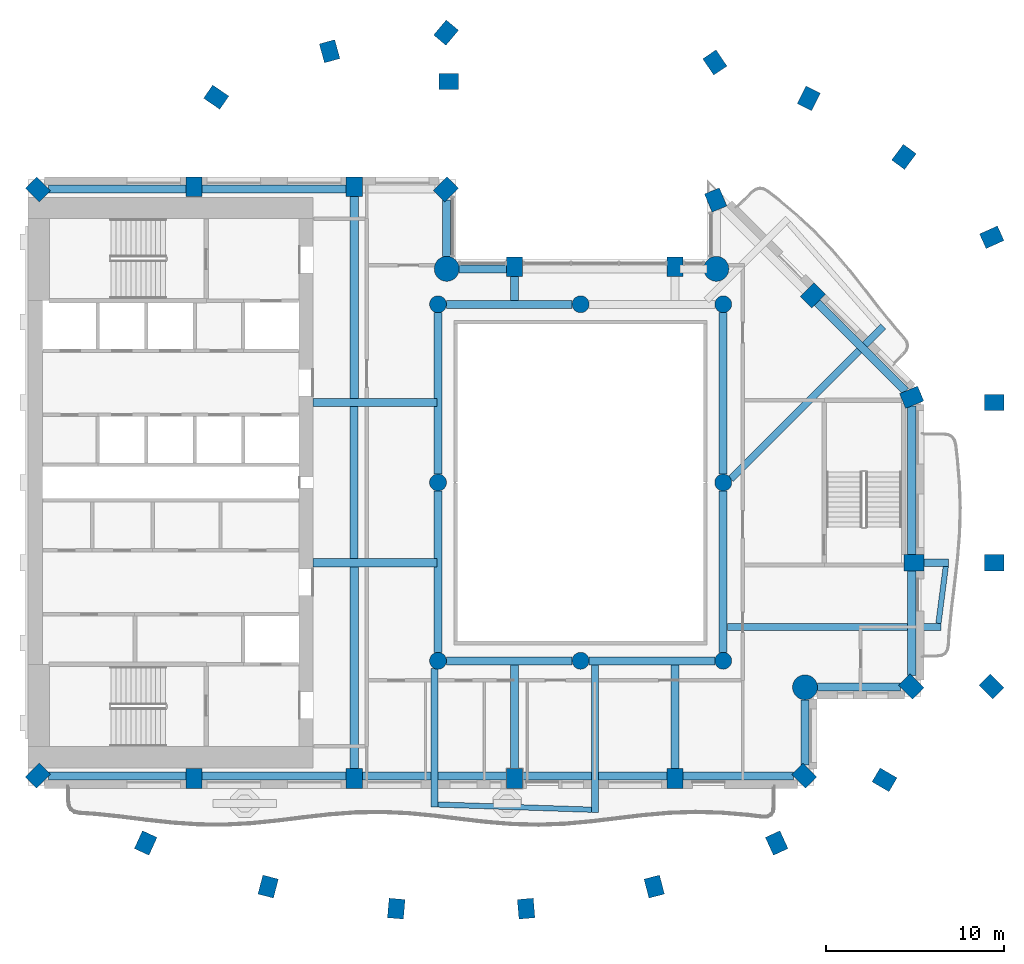
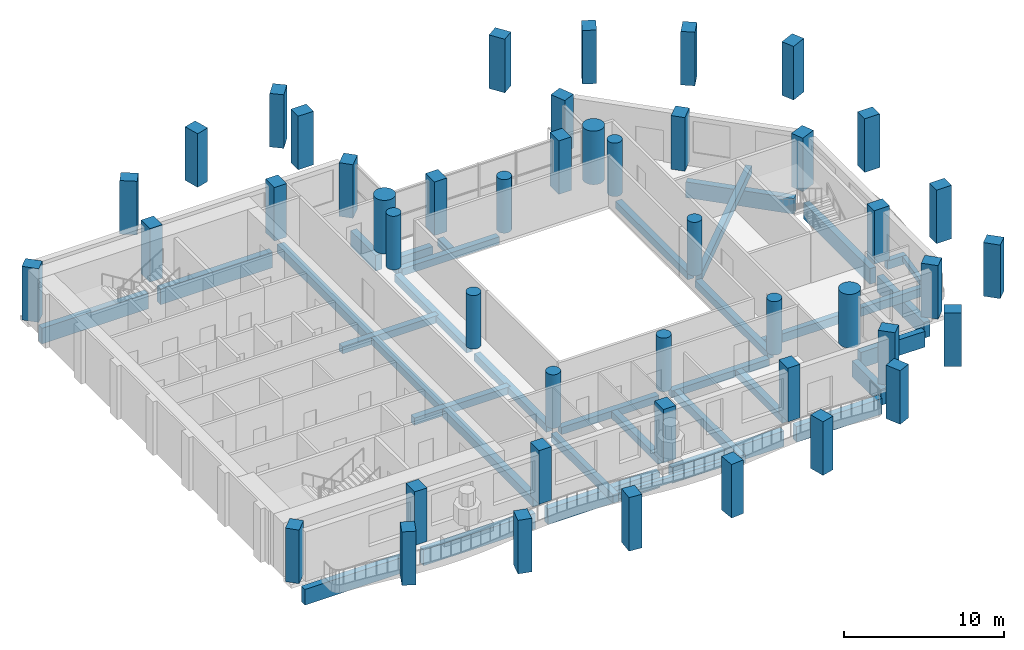
# One storey, part 1 of 14: 46 columns, 36 beams.
"""IFC4 building model written with IfcOpenShell, lengths in metres."""

from ifc_helpers import new_model, si_unit, direction, frame, origin, origin_2d, place, context, subcontext, project, spatial, rectangle, circle, extrude, material, material_profile, profile_set, type_object, element, save


model = new_model("IFC4")

# Units and contexts
model_context = context("Model", 3, precision=1e-05, world=origin(), true_north=direction((0.0, 1.0)))
body_context = subcontext(model_context, "Body", "Model", "MODEL_VIEW")
ifc_project = project(units=[si_unit("LENGTHUNIT", "METRE"), si_unit("AREAUNIT", "SQUARE_METRE"), si_unit("VOLUMEUNIT", "CUBIC_METRE"), si_unit("PLANEANGLEUNIT", "RADIAN"), si_unit("MASSUNIT", "GRAM", prefix="KILO")], contexts=[model_context])

# Site, building, storey
site_placement = place(None, origin())
site = spatial("IfcSite", under=ifc_project, at=site_placement, CompositionType="ELEMENT")
building_placement = place(site_placement, origin())
building = spatial("IfcBuilding", under=site, at=building_placement, Name="Cypress Arch Tower", CompositionType="ELEMENT")
storey_placement = place(building_placement, frame((0.0, 0.0, 185.10009765625)))
storey = spatial("IfcBuildingStorey", under=building, at=storey_placement, Name="L40", CompositionType="ELEMENT", Elevation=185.10009765625)

# Columns
ifc_material_1 = material(Name="Concrete C70/85", Category="concrete")
ifc_material_profile_1 = material_profile(ifc_material_1, rectangle(XDim=0.89990234375, YDim=1.10009765625, at=origin_2d()), Name="RC 900x1100")
ifc_profile_set_1 = profile_set([ifc_material_profile_1], Name="Concrete C70/85")
column_type_1 = type_object("IfcColumnType", Name="Column RC 900x1100 Concrete C70/85", PredefinedType="COLUMN", material=ifc_profile_set_1)
for number, where, z_axis, x_axis, name in (
    (1, (-29.44287109375, 16.44287109375, 0.0), (0.0, 0.0, 1.0), (-0.707106781187, -0.707106781187, 0.0), "Column L40 CB00"),
    (2, (-29.44287109375, -16.44287109375, 0.0), (0.0, 0.0, 1.0), (0.707106781187, -0.707106781187, 0.0), "Column L40 CB01"),
    (3, (-20.699951171875, -16.60009765625, 0.0), (0.0, 0.0, 1.0), (1.0, 0.0, 0.0), "Column L40 CB02"),
    (4, (-11.699951171875, -16.60009765625, 0.0), (0.0, 0.0, 1.0), (1.0, 0.0, 0.0), "Column L40 CB03"),
    (5, (-2.699951171875, -16.60009765625, 0.0), (0.0, 0.0, 1.0), (1.0, 0.0, 0.0), "Column L40 CB04"),
    (6, (6.300048828125, -16.60009765625, 0.0), (0.0, 0.0, 1.0), (1.0, 0.0, 0.0), "Column L40 CB05"),
    (7, (13.54296875, -16.44287109375, 0.0), (0.0, 0.0, 1.0), (0.707106781187, 0.707106781187, 0.0), "Column L40 CB06"),
    (8, (19.54296875, -11.44287109375, 0.0), (0.0, 0.0, 1.0), (0.707106781187, 0.707106781187, 0.0), "Column L40 CB08"),
    (9, (19.699951171875, -4.5, 0.0), (0.0, 0.0, 1.0), (0.0, 1.0, 0.0), "Column L40 CB09"),
    (10, (19.569580078125, 4.7802734375, 0.0), (0.0, 0.0, 1.0), (-0.382683496864, 0.923879505795, 0.0), "Column L40 CB10"),
    (11, (14.029296875, 10.505126953125, 0.0), (0.0, 0.0, 1.0), (-0.707106781187, 0.707106781187, 0.0), "Column L40 CB11"),
    (12, (8.576171875, 15.850341796875, 0.0), (0.0, 0.0, 1.0), (-0.923879672772, -0.382683093746, 0.0), "Column L40 CB12"),
    (13, (6.300048828125, 12.10009765625, 0.0), (0.0, 0.0, 1.0), (-1.0, 0.0, 0.0), "Column L40 CB14"),
    (14, (-2.699951171875, 12.10009765625, 0.0), (0.0, 0.0, 1.0), (-1.0, 0.0, 0.0), "Column L40 CB15"),
    (15, (-6.55712890625, 16.44287109375, 0.0), (0.0, 0.0, 1.0), (-0.707106781187, 0.707106781187, 0.0), "Column L40 CB17"),
    (16, (-11.699951171875, 16.60009765625, 0.0), (0.0, 0.0, 1.0), (-1.0, 0.0, 0.0), "Column L40 CB18"),
    (17, (-20.699951171875, 16.60009765625, 0.0), (0.0, 0.0, 1.0), (-1.0, 0.0, 0.0), "Column L40 CB19"),
    (18, (8.53076171875, 23.564697265625, 0.0), (0.0, 0.0, 1.0), (-0.828469606019, -0.560034027451, 0.0), "Column L40 CQ00"),
    (19, (-6.39990234375, 22.5, 0.0), (0.0, 0.0, 1.0), (0.0, 1.0, 0.0), "Column L40 CQ01"),
    (20, (-6.54833984375, 25.236572265625, 0.0), (0.0, 0.0, 1.0), (-0.766063514674, 0.642764880407, 0.0), "Column L40 CQ02"),
    (21, (-13.081298828125, 24.193359375, 0.0), (0.0, 0.0, 1.0), (-0.96345574646, -0.267867550506, 0.0), "Column L40 CQ03"),
    (22, (-19.44189453125, 21.616943359375, 0.0), (0.0, 0.0, 1.0), (-0.565892599589, -0.824478966215, 0.0), "Column L40 CQ04"),
    (23, (-23.398193359375, -20.221435546875, 0.0), (0.0, 0.0, 1.0), (0.909932071487, -0.414757308891, 0.0), "Column L40 CQ05"),
    (24, (-16.529052734375, -22.666259765625, 0.0), (0.0, 0.0, 1.0), (0.96735573689, -0.2534223319, 0.0), "Column L40 CQ06"),
    (25, (-9.3427734375, -23.903564453125, 0.0), (0.0, 0.0, 1.0), (0.996368206733, -0.085149260784, 0.0), "Column L40 CQ07"),
    (26, (-2.057373046875, -23.903564453125, 0.0), (0.0, 0.0, 1.0), (0.996368206733, 0.085149260784, 0.0), "Column L40 CQ08"),
    (27, (5.12890625, -22.666259765625, 0.0), (0.0, 0.0, 1.0), (0.96735573689, 0.2534223319, 0.0), "Column L40 CQ09"),
    (28, (11.998291015625, -20.221435546875, 0.0), (0.0, 0.0, 1.0), (0.909932071487, 0.414757308891, 0.0), "Column L40 CQ10"),
    (29, (18.048095703125, -16.677490234375, 0.0), (0.0, 0.0, 1.0), (0.504399289829, 0.86347053014, 0.0), "Column L40 CQ11"),
    (30, (24.04296875, -11.44287109375, 0.0), (0.0, 0.0, 1.0), (0.707106781187, 0.707106781187, 0.0), "Column L40 CQ12"),
    (31, (24.199951171875, -4.5, 0.0), (0.0, 0.0, 1.0), (0.0, 1.0, 0.0), "Column L40 CQ13"),
    (32, (24.199951171875, 4.5, 0.0), (0.0, 0.0, 1.0), (0.0, 1.0, 0.0), "Column L40 CQ14"),
    (33, (24.06396484375, 13.75927734375, 0.0), (0.0, 0.0, 1.0), (-0.409765058504, 0.912191096662, 0.0), "Column L40 CQ15"),
    (34, (19.13818359375, 18.267578125, 0.0), (0.0, 0.0, 1.0), (-0.802798546114, 0.596250362144, 0.0), "Column L40 CQ16"),
    (35, (13.80322265625, 21.549072265625, 0.0), (0.0, 0.0, 1.0), (-0.893106499805, 0.44984528452, 0.0), "Column L40 CQ17"),
):
    element("IfcColumn", number, at=place(storey_placement, frame(where, z_axis=z_axis, x_axis=x_axis)), inside=storey, type_object=column_type_1, Name=name, PredefinedType="COLUMN", context=body_context, shape_type="SweptSolid", body=[
        extrude(rectangle(XDim=0.89990234375, YDim=1.10009765625, at=origin_2d()), origin(), (0.0, 0.0, 1.0), 4.099853515625),
    ])
ifc_material_2 = material(Name="Concrete C70/85", Category="concrete")
ifc_material_profile_2 = material_profile(ifc_material_2, circle(Radius=0.47509765625, at=origin_2d()), Name="RC D950")
ifc_profile_set_2 = profile_set([ifc_material_profile_2], Name="Concrete C70/85")
column_type_2 = type_object("IfcColumnType", Name="Column RC D950 Concrete C70/85", PredefinedType="COLUMN", material=ifc_profile_set_2)
for number, where, z_axis, x_axis, name in (
    (36, (-7.0, -10.0, 0.0), (0.0, 0.0, 1.0), (1.0, 0.0, 0.0), "Column L40 RNG-L40-G-7-10"),
    (37, (-7.0, 0.0, 0.0), (0.0, 0.0, 1.0), (1.0, 0.0, 0.0), "Column L40 RNG-L40-G-7+0"),
    (38, (-7.0, 10.0, 0.0), (0.0, 0.0, 1.0), (1.0, 0.0, 0.0), "Column L40 RNG-L40-G-7+10"),
    (39, (1.0, -10.0, 0.0), (0.0, 0.0, 1.0), (1.0, 0.0, 0.0), "Column L40 RNG-L40-G+1-10"),
    (40, (1.0, 10.0, 0.0), (0.0, 0.0, 1.0), (1.0, 0.0, 0.0), "Column L40 RNG-L40-G+1+10"),
    (41, (9.0, -10.0, 0.0), (0.0, 0.0, 1.0), (1.0, 0.0, 0.0), "Column L40 RNG-L40-G+9-10"),
    (42, (9.0, 0.0, 0.0), (0.0, 0.0, 1.0), (1.0, 0.0, 0.0), "Column L40 RNG-L40-G+9+0"),
    (43, (9.0, 10.0, 0.0), (0.0, 0.0, 1.0), (1.0, 0.0, 0.0), "Column L40 RNG-L40-G+9+10"),
):
    element("IfcColumn", number, at=place(storey_placement, frame(where, z_axis=z_axis, x_axis=x_axis)), inside=storey, type_object=column_type_2, Name=name, PredefinedType="COLUMN", context=body_context, shape_type="SweptSolid", body=[
        extrude(circle(Radius=0.47509765625, at=origin_2d()), origin(), (0.0, 0.0, 1.0), 4.099853515625),
    ])
ifc_material_3 = material(Name="Concrete C70/85", Category="concrete")
ifc_material_profile_3 = material_profile(ifc_material_3, circle(Radius=0.699951171875, at=origin_2d()), Name="RC D1400")
ifc_profile_set_3 = profile_set([ifc_material_profile_3], Name="Concrete C70/85")
column_type_3 = type_object("IfcColumnType", Name="Mega-column RC D1400 Concrete C70/85", PredefinedType="COLUMN", material=ifc_profile_set_3)
for number, where, z_axis, x_axis, name in (
    (44, (13.587890625, -11.48779296875, 0.0), (0.0, 0.0, 1.0), (1.0, 0.0, 0.0), "Column L40 CB07"),
    (45, (8.612060546875, 11.98779296875, 0.0), (0.0, 0.0, 1.0), (1.0, 0.0, 0.0), "Column L40 CB13"),
    (46, (-6.51220703125, 11.98779296875, 0.0), (0.0, 0.0, 1.0), (1.0, 0.0, 0.0), "Column L40 CB16"),
):
    element("IfcColumn", number, at=place(storey_placement, frame(where, z_axis=z_axis, x_axis=x_axis)), inside=storey, type_object=column_type_3, Name=name, PredefinedType="COLUMN", context=body_context, shape_type="SweptSolid", body=[
        extrude(circle(Radius=0.699951171875, at=origin_2d()), origin(), (0.0, 0.0, 1.0), 4.099853515625),
    ])

# Beams
ifc_material_4 = material(Name="Concrete C50/60", Category="concrete")
ifc_material_profile_4 = material_profile(ifc_material_4, rectangle(XDim=0.300048828125, YDim=0.39990234375, at=origin_2d()), Name="RC 300x400")
ifc_profile_set_4 = profile_set([ifc_material_profile_4], Name="Concrete C50/60")
beam_type_1 = type_object("IfcBeamType", Name="Balcony edge beam RC 300x400 Concrete C50/60", PredefinedType="BEAM", material=ifc_profile_set_4)
beam_1_placement = place(storey_placement, frame((21.072509765625, -7.89990234375, -0.5), z_axis=(0.127954531114, 0.991780035072, 0.0), x_axis=(-0.991780035072, 0.127954531114, 0.0)))
element("IfcBeam", 47, at=beam_1_placement, inside=storey, type_object=beam_type_1, Name="Balcony edge beam L40 B04", PredefinedType="BEAM", context=body_context, shape_type="SweptSolid", body=[
    extrude(rectangle(XDim=0.300048828125, YDim=0.39990234375, at=origin_2d()), origin(), (0.0, 0.0, 1.0), 3.2265625),
])
ifc_material_5 = material(Name="Concrete C50/60", Category="concrete")
ifc_material_profile_5 = material_profile(ifc_material_5, rectangle(XDim=0.300048828125, YDim=0.449951171875, at=origin_2d()), Name="RC 300x450")
ifc_profile_set_5 = profile_set([ifc_material_profile_5], Name="Concrete C50/60")
beam_type_2 = type_object("IfcBeamType", Name="Balcony edge beam RC 300x450 Concrete C50/60", PredefinedType="BEAM", material=ifc_profile_set_5)
beam_2_placement = place(storey_placement, frame((-7.0, -18.06298828125, -0.525146484375), z_axis=(0.999430837664, -0.033734266337, 0.0), x_axis=(0.033734266337, 0.999430837664, 0.0)))
element("IfcBeam", 48, at=beam_2_placement, inside=storey, type_object=beam_type_2, Name="Balcony edge beam L40 B01", PredefinedType="BEAM", context=body_context, shape_type="SweptSolid", body=[
    extrude(rectangle(XDim=0.300048828125, YDim=0.449951171875, at=origin_2d()), origin(), (0.0, 0.0, 1.0), 8.60498046875),
])
ifc_material_6 = material(Name="Concrete C50/60", Category="concrete")
ifc_material_profile_6 = material_profile(ifc_material_6, rectangle(XDim=0.39990234375, YDim=0.64990234375, at=origin_2d()), Name="RC 400x650")
ifc_profile_set_6 = profile_set([ifc_material_profile_6], Name="Concrete C50/60")
beam_type_3 = type_object("IfcBeamType", Name="Cantilever beam RC 400x650 Concrete C50/60", PredefinedType="BEAM", material=ifc_profile_set_6)
beam_3_placement = place(storey_placement, frame((-7.199951171875, -10.4306640625, -0.625), z_axis=(0.0, -1.0, 0.0), x_axis=(1.0, 0.0, 0.0)))
element("IfcBeam", 49, at=beam_3_placement, inside=storey, type_object=beam_type_3, Name="Cantilever beam L40 B01 1", PredefinedType="BEAM", context=body_context, shape_type="SweptSolid", body=[
    extrude(rectangle(XDim=0.39990234375, YDim=0.64990234375, at=origin_2d()), origin(), (0.0, 0.0, 1.0), 7.782470703125),
])
beam_4_placement = place(storey_placement, frame((1.800048828125, -10.22509765625, -0.625), z_axis=(0.0, -1.0, 0.0), x_axis=(1.0, 0.0, 0.0)))
element("IfcBeam", 50, at=beam_4_placement, inside=storey, type_object=beam_type_3, Name="Cantilever beam L40 B01 2", PredefinedType="BEAM", context=body_context, shape_type="SweptSolid", body=[
    extrude(rectangle(XDim=0.39990234375, YDim=0.64990234375, at=origin_2d()), origin(), (0.0, 0.0, 1.0), 8.278076171875),
])
beam_5_placement = place(storey_placement, frame((9.22509765625, -8.10009765625, -0.625), z_axis=(1.0, 0.0, 0.0), x_axis=(0.0, 1.0, 0.0)))
element("IfcBeam", 51, at=beam_5_placement, inside=storey, type_object=beam_type_3, Name="Cantilever beam L40 B04 1", PredefinedType="BEAM", context=body_context, shape_type="SweptSolid", body=[
    extrude(rectangle(XDim=0.39990234375, YDim=0.64990234375, at=origin_2d()), origin(), (0.0, 0.0, 1.0), 11.99755859375),
])
beam_6_placement = place(storey_placement, frame((20.25, -4.5, -0.625), z_axis=(1.0, 0.0, 0.0), x_axis=(0.0, 1.0, 0.0)))
element("IfcBeam", 52, at=beam_6_placement, inside=storey, type_object=beam_type_3, Name="Cantilever beam L40 B04 2", PredefinedType="BEAM", context=body_context, shape_type="SweptSolid", body=[
    extrude(rectangle(XDim=0.39990234375, YDim=0.64990234375, at=origin_2d()), origin(), (0.0, 0.0, 1.0), 1.385498046875),
])
beam_7_placement = place(storey_placement, frame((9.4287109375, 0.204345703125, -0.625), z_axis=(0.707106781187, 0.707106781187, 0.0), x_axis=(-0.707106781187, 0.707106781187, 0.0)))
element("IfcBeam", 53, at=beam_7_placement, inside=storey, type_object=beam_type_3, Name="Cantilever beam L40 B05 1", PredefinedType="BEAM", context=body_context, shape_type="SweptSolid", body=[
    extrude(rectangle(XDim=0.39990234375, YDim=0.64990234375, at=origin_2d()), origin(), (0.0, 0.0, 1.0), 12.085693359375),
])
ifc_material_7 = material(Name="Concrete C50/60", Category="concrete")
ifc_material_profile_7 = material_profile(ifc_material_7, rectangle(XDim=0.449951171875, YDim=0.550048828125, at=origin_2d()), Name="RC 450x550")
ifc_profile_set_7 = profile_set([ifc_material_profile_7], Name="Concrete C50/60")
beam_type_4 = type_object("IfcBeamType", Name="Floor beam RC 450x550 Concrete C50/60", PredefinedType="BEAM", material=ifc_profile_set_7)
for number, where, z_axis, x_axis, name in (
    (54, (-7.0, -9.52490234375, -0.5751953125), (0.0, 1.0, 0.0), (-1.0, 0.0, 0.0), "Floor beam L40 RB001"),
    (55, (-7.0, 0.47509765625, -0.5751953125), (0.0, 1.0, 0.0), (-1.0, 0.0, 0.0), "Floor beam L40 RB002"),
    (56, (9.0, -9.52490234375, -0.5751953125), (0.0, 1.0, 0.0), (-1.0, 0.0, 0.0), "Floor beam L40 RB003"),
    (57, (9.0, 0.47509765625, -0.5751953125), (0.0, 1.0, 0.0), (-1.0, 0.0, 0.0), "Floor beam L40 RB004"),
):
    element("IfcBeam", number, at=place(storey_placement, frame(where, z_axis=z_axis, x_axis=x_axis)), inside=storey, type_object=beam_type_4, Name=name, PredefinedType="BEAM", context=body_context, shape_type="SweptSolid", body=[
        extrude(rectangle(XDim=0.449951171875, YDim=0.550048828125, at=origin_2d()), origin(), (0.0, 0.0, 1.0), 9.0498046875),
    ])
for number, where, z_axis, x_axis, name in (
    (58, (-6.52490234375, -10.0, -0.5751953125), (1.0, 0.0, 0.0), (0.0, 1.0, 0.0), "Floor beam L40 RB005"),
    (59, (1.47509765625, -10.0, -0.5751953125), (1.0, 0.0, 0.0), (0.0, 1.0, 0.0), "Floor beam L40 RB006"),
    (60, (-6.52490234375, 10.0, -0.5751953125), (1.0, 0.0, 0.0), (0.0, 1.0, 0.0), "Floor beam L40 RB007"),
):
    element("IfcBeam", number, at=place(storey_placement, frame(where, z_axis=z_axis, x_axis=x_axis)), inside=storey, type_object=beam_type_4, Name=name, PredefinedType="BEAM", context=body_context, shape_type="SweptSolid", body=[
        extrude(rectangle(XDim=0.449951171875, YDim=0.550048828125, at=origin_2d()), origin(), (0.0, 0.0, 1.0), 7.0498046875),
    ])
for number, where, z_axis, x_axis, name in (
    (61, (-14.0, -4.5, -0.5751953125), (1.0, 0.0, 0.0), (0.0, 1.0, 0.0), "Floor beam L40 FB009"),
    (62, (-14.0, 4.5, -0.5751953125), (1.0, 0.0, 0.0), (0.0, 1.0, 0.0), "Floor beam L40 FB010"),
):
    element("IfcBeam", number, at=place(storey_placement, frame(where, z_axis=z_axis, x_axis=x_axis)), inside=storey, type_object=beam_type_4, Name=name, PredefinedType="BEAM", context=body_context, shape_type="SweptSolid", body=[
        extrude(rectangle(XDim=0.449951171875, YDim=0.550048828125, at=origin_2d()), origin(), (0.0, 0.0, 1.0), 6.949951171875),
    ])
beam_8_placement = place(storey_placement, frame((-11.699951171875, -4.27490234375, -0.5751953125), z_axis=(0.0, 1.0, 0.0), x_axis=(-1.0, 0.0, 0.0)))
element("IfcBeam", 63, at=beam_8_placement, inside=storey, type_object=beam_type_4, Name="Floor beam L40 FB012", PredefinedType="BEAM", context=body_context, shape_type="SweptSolid", body=[
    extrude(rectangle(XDim=0.449951171875, YDim=0.550048828125, at=origin_2d()), origin(), (0.0, 0.0, 1.0), 8.5498046875),
])
beam_9_placement = place(storey_placement, frame((-2.699951171875, -16.050048828125, -0.5751953125), z_axis=(0.0, 1.0, 0.0), x_axis=(-1.0, 0.0, 0.0)))
element("IfcBeam", 64, at=beam_9_placement, inside=storey, type_object=beam_type_4, Name="Floor beam L40 FB014", PredefinedType="BEAM", context=body_context, shape_type="SweptSolid", body=[
    extrude(rectangle(XDim=0.449951171875, YDim=0.550048828125, at=origin_2d()), origin(), (0.0, 0.0, 1.0), 5.824951171875),
])
beam_10_placement = place(storey_placement, frame((-2.699951171875, 10.22509765625, -0.5751953125), z_axis=(0.0, 1.0, 0.0), x_axis=(-1.0, 0.0, 0.0)))
element("IfcBeam", 65, at=beam_10_placement, inside=storey, type_object=beam_type_4, Name="Floor beam L40 FB015", PredefinedType="BEAM", context=body_context, shape_type="SweptSolid", body=[
    extrude(rectangle(XDim=0.449951171875, YDim=0.550048828125, at=origin_2d()), origin(), (0.0, 0.0, 1.0), 1.324951171875),
])
beam_11_placement = place(storey_placement, frame((6.300048828125, -16.050048828125, -0.5751953125), z_axis=(0.0, 1.0, 0.0), x_axis=(-1.0, 0.0, 0.0)))
element("IfcBeam", 66, at=beam_11_placement, inside=storey, type_object=beam_type_4, Name="Floor beam L40 FB016", PredefinedType="BEAM", context=body_context, shape_type="SweptSolid", body=[
    extrude(rectangle(XDim=0.449951171875, YDim=0.550048828125, at=origin_2d()), origin(), (0.0, 0.0, 1.0), 5.824951171875),
])
ifc_material_8 = material(Name="Concrete C50/60", Category="concrete")
ifc_material_profile_8 = material_profile(ifc_material_8, rectangle(XDim=0.5, YDim=0.64990234375, at=origin_2d()), Name="RC 500x650")
ifc_profile_set_8 = profile_set([ifc_material_profile_8], Name="Concrete C50/60")
beam_type_5 = type_object("IfcBeamType", Name="Floor beam RC 500x650 Concrete C50/60", PredefinedType="BEAM", material=ifc_profile_set_8)
for number, where, z_axis, x_axis, name in (
    (67, (-11.699951171875, -16.050048828125, -0.625), (0.0, 1.0, 0.0), (-1.0, 0.0, 0.0), "Floor beam L40 FB011"),
    (68, (-11.699951171875, 4.72509765625, -0.625), (0.0, 1.0, 0.0), (-1.0, 0.0, 0.0), "Floor beam L40 FB013"),
):
    element("IfcBeam", number, at=place(storey_placement, frame(where, z_axis=z_axis, x_axis=x_axis)), inside=storey, type_object=beam_type_5, Name=name, PredefinedType="BEAM", context=body_context, shape_type="SweptSolid", body=[
        extrude(rectangle(XDim=0.5, YDim=0.64990234375, at=origin_2d()), origin(), (0.0, 0.0, 1.0), 11.324951171875),
    ])
ifc_material_9 = material(Name="Concrete C50/60", Category="concrete")
ifc_material_profile_9 = material_profile(ifc_material_9, rectangle(XDim=0.449951171875, YDim=1.199951171875, at=origin_2d()), Name="RC 450x1200")
ifc_profile_set_9 = profile_set([ifc_material_profile_9], Name="Concrete C50/60")
beam_type_6 = type_object("IfcBeamType", Name="Spandrel beam RC 450x1200 Concrete C50/60", PredefinedType="SPANDREL", material=ifc_profile_set_9)
beam_12_placement = place(storey_placement, frame((-28.838623046875, -16.47509765625, -1.550048828125), z_axis=(1.0, 0.0, 0.0), x_axis=(0.0, 1.0, 0.0)))
element("IfcBeam", 69, at=beam_12_placement, inside=storey, type_object=beam_type_6, Name="Spandrel beam L40 BB01-0", PredefinedType="SPANDREL", context=body_context, shape_type="SweptSolid", body=[
    extrude(rectangle(XDim=0.449951171875, YDim=1.199951171875, at=origin_2d()), origin(), (0.0, 0.0, 1.0), 7.688720703125),
])
for number, where, z_axis, x_axis, name in (
    (70, (-20.25, -16.47509765625, -1.550048828125), (1.0, 0.0, 0.0), (0.0, 1.0, 0.0), "Spandrel beam L40 BB01-1"),
    (71, (-11.25, -16.47509765625, -1.550048828125), (1.0, 0.0, 0.0), (0.0, 1.0, 0.0), "Spandrel beam L40 BB01-2"),
    (72, (-2.25, -16.47509765625, -1.550048828125), (1.0, 0.0, 0.0), (0.0, 1.0, 0.0), "Spandrel beam L40 BB01-3"),
):
    element("IfcBeam", number, at=place(storey_placement, frame(where, z_axis=z_axis, x_axis=x_axis)), inside=storey, type_object=beam_type_6, Name=name, PredefinedType="SPANDREL", context=body_context, shape_type="SweptSolid", body=[
        extrude(rectangle(XDim=0.449951171875, YDim=1.199951171875, at=origin_2d()), origin(), (0.0, 0.0, 1.0), 8.10009765625),
    ])
beam_13_placement = place(storey_placement, frame((6.75, -16.47509765625, -1.550048828125), z_axis=(1.0, 0.0, 0.0), x_axis=(0.0, 1.0, 0.0)))
element("IfcBeam", 73, at=beam_13_placement, inside=storey, type_object=beam_type_6, Name="Spandrel beam L40 BB01-4", PredefinedType="SPANDREL", context=body_context, shape_type="SweptSolid", body=[
    extrude(rectangle(XDim=0.449951171875, YDim=1.199951171875, at=origin_2d()), origin(), (0.0, 0.0, 1.0), 6.188720703125),
])
beam_14_placement = place(storey_placement, frame((13.574951171875, -15.838623046875, -1.550048828125), z_axis=(0.0, 1.0, 0.0), x_axis=(-1.0, 0.0, 0.0)))
element("IfcBeam", 74, at=beam_14_placement, inside=storey, type_object=beam_type_6, Name="Spandrel beam L40 BB02-0", PredefinedType="SPANDREL", context=body_context, shape_type="SweptSolid", body=[
    extrude(rectangle(XDim=0.449951171875, YDim=1.199951171875, at=origin_2d()), origin(), (0.0, 0.0, 1.0), 3.651123046875),
])
beam_15_placement = place(storey_placement, frame((14.28759765625, -11.47509765625, -1.550048828125), z_axis=(1.0, 0.0, 0.0), x_axis=(0.0, 1.0, 0.0)))
element("IfcBeam", 75, at=beam_15_placement, inside=storey, type_object=beam_type_6, Name="Spandrel beam L40 BB03-0", PredefinedType="SPANDREL", context=body_context, shape_type="SweptSolid", body=[
    extrude(rectangle(XDim=0.449951171875, YDim=1.199951171875, at=origin_2d()), origin(), (0.0, 0.0, 1.0), 4.651123046875),
])
beam_16_placement = place(storey_placement, frame((19.574951171875, -10.838623046875, -1.550048828125), z_axis=(0.0, 1.0, 0.0), x_axis=(-1.0, 0.0, 0.0)))
element("IfcBeam", 76, at=beam_16_placement, inside=storey, type_object=beam_type_6, Name="Spandrel beam L40 BB04-0", PredefinedType="SPANDREL", context=body_context, shape_type="SweptSolid", body=[
    extrude(rectangle(XDim=0.449951171875, YDim=1.199951171875, at=origin_2d()), origin(), (0.0, 0.0, 1.0), 5.888671875),
])
beam_17_placement = place(storey_placement, frame((19.574951171875, -4.050048828125, -1.550048828125), z_axis=(0.0, 1.0, 0.0), x_axis=(-1.0, 0.0, 0.0)))
element("IfcBeam", 77, at=beam_17_placement, inside=storey, type_object=beam_type_6, Name="Spandrel beam L40 BB04-1", PredefinedType="SPANDREL", context=body_context, shape_type="SweptSolid", body=[
    extrude(rectangle(XDim=0.449951171875, YDim=1.199951171875, at=origin_2d()), origin(), (0.0, 0.0, 1.0), 8.345458984375),
])
beam_18_placement = place(storey_placement, frame((19.23046875, 5.126953125, -1.550048828125), z_axis=(-0.707106781187, 0.707106781187, 0.0), x_axis=(-0.707106781187, -0.707106781187, 0.0)))
element("IfcBeam", 78, at=beam_18_placement, inside=storey, type_object=beam_type_6, Name="Spandrel beam L40 BB05-0", PredefinedType="SPANDREL", context=body_context, shape_type="SweptSolid", body=[
    extrude(rectangle(XDim=0.449951171875, YDim=1.199951171875, at=origin_2d()), origin(), (0.0, 0.0, 1.0), 7.03076171875),
])
beam_19_placement = place(storey_placement, frame((-3.14990234375, 11.97509765625, -1.550048828125), z_axis=(-1.0, 0.0, 0.0), x_axis=(0.0, -1.0, 0.0)))
element("IfcBeam", 79, at=beam_19_placement, inside=storey, type_object=beam_type_6, Name="Spandrel beam L40 BB07-2", PredefinedType="SPANDREL", context=body_context, shape_type="SweptSolid", body=[
    extrude(rectangle(XDim=0.449951171875, YDim=1.199951171875, at=origin_2d()), origin(), (0.0, 0.0, 1.0), 2.66259765625),
])
beam_20_placement = place(storey_placement, frame((-6.52490234375, 12.6875, -1.550048828125), z_axis=(0.0, 1.0, 0.0), x_axis=(-1.0, 0.0, 0.0)))
element("IfcBeam", 80, at=beam_20_placement, inside=storey, type_object=beam_type_6, Name="Spandrel beam L40 BB08-0", PredefinedType="SPANDREL", context=body_context, shape_type="SweptSolid", body=[
    extrude(rectangle(XDim=0.449951171875, YDim=1.199951171875, at=origin_2d()), origin(), (0.0, 0.0, 1.0), 3.151123046875),
])
beam_21_placement = place(storey_placement, frame((-12.14990234375, 16.47509765625, -1.550048828125), z_axis=(-1.0, 0.0, 0.0), x_axis=(0.0, -1.0, 0.0)))
element("IfcBeam", 81, at=beam_21_placement, inside=storey, type_object=beam_type_6, Name="Spandrel beam L40 BB09-1", PredefinedType="SPANDREL", context=body_context, shape_type="SweptSolid", body=[
    extrude(rectangle(XDim=0.449951171875, YDim=1.199951171875, at=origin_2d()), origin(), (0.0, 0.0, 1.0), 8.10009765625),
])
beam_22_placement = place(storey_placement, frame((-21.14990234375, 16.47509765625, -1.550048828125), z_axis=(-1.0, 0.0, 0.0), x_axis=(0.0, -1.0, 0.0)))
element("IfcBeam", 82, at=beam_22_placement, inside=storey, type_object=beam_type_6, Name="Spandrel beam L40 BB09-2", PredefinedType="SPANDREL", context=body_context, shape_type="SweptSolid", body=[
    extrude(rectangle(XDim=0.449951171875, YDim=1.199951171875, at=origin_2d()), origin(), (0.0, 0.0, 1.0), 7.688720703125),
])

save(model, "model.ifc")
